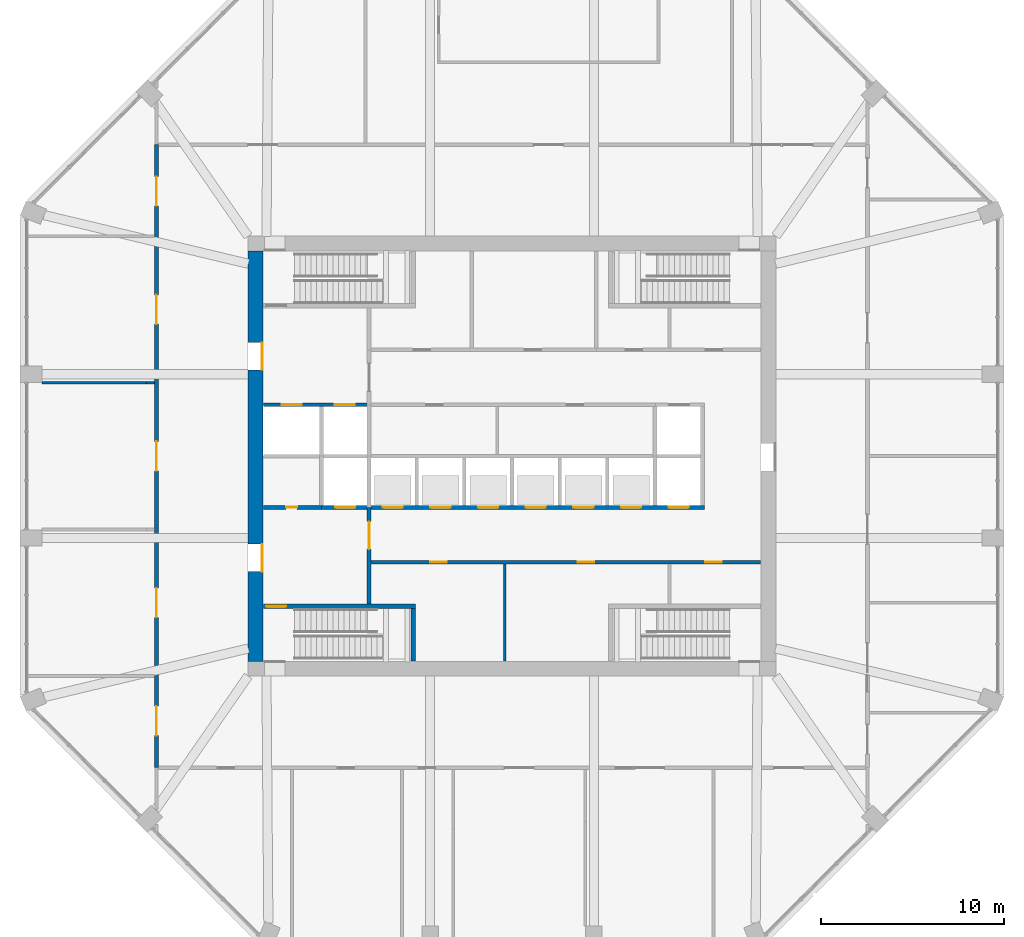
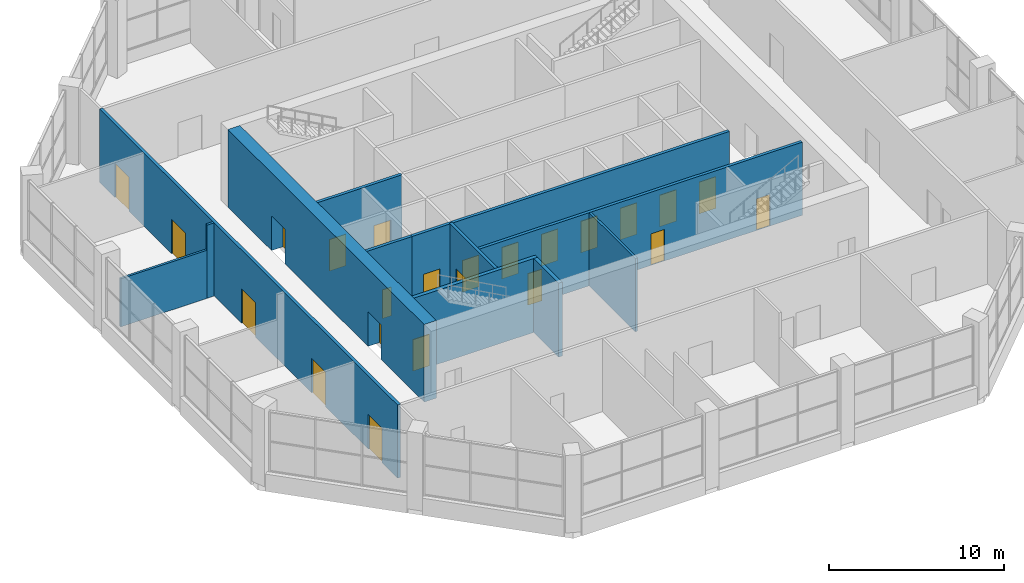
# One storey, part 12 of 16: 23 doors, 12 walls, 23 openings.
"""IFC4 building model written with IfcOpenShell, lengths in metres."""

from ifc_helpers import new_model, si_unit, direction, frame, frame_2d, origin, place, context, subcontext, project, spatial, rectangle, extrude, material, layer, layer_set, type_object, element, fill, save


model = new_model("IFC4")

# Units and contexts
model_context = context("Model", 3, precision=1e-05, world=origin(), true_north=direction((0.0, 1.0)))
body_context = subcontext(model_context, "Body", "Model", "MODEL_VIEW")
ifc_project = project(units=[si_unit("LENGTHUNIT", "METRE"), si_unit("AREAUNIT", "SQUARE_METRE"), si_unit("VOLUMEUNIT", "CUBIC_METRE"), si_unit("PLANEANGLEUNIT", "RADIAN"), si_unit("MASSUNIT", "GRAM", prefix="KILO")], contexts=[model_context])

# Site, building, storey
site_placement = place(None, origin())
site = spatial("IfcSite", under=ifc_project, at=site_placement, CompositionType="ELEMENT")
building_placement = place(site_placement, origin())
building = spatial("IfcBuilding", under=site, at=building_placement, Name="Msitu Wima Residences", CompositionType="ELEMENT")
storey_placement = place(building_placement, frame((0.0, 0.0, 156.89990234375)))
storey = spatial("IfcBuildingStorey", under=building, at=storey_placement, Name="L36", CompositionType="ELEMENT", Elevation=156.89990234375)

# Wall, openings, doors
ifc_material_1 = material(Name="Concrete C70/85", Category="concrete")
ifc_layer_1 = layer(ifc_material_1, 0.800048828125)
ifc_layer_set_1 = layer_set([ifc_layer_1], Name="Concrete C70/85")
wall_type_1 = type_object("IfcWallType", Name="Core wall CW800 C70/85", PredefinedType="SHEAR", material=ifc_layer_set_1)
wall_1_placement = place(storey_placement, frame((-14.0, -11.199951171875, 0.0), z_axis=(0.0, 0.0, 1.0), x_axis=(0.0, 1.0, 0.0)))
wall_1 = element("IfcWall", 1, at=wall_1_placement, inside=storey, type_object=wall_type_1, Name="Core wall", PredefinedType="SHEAR", context=body_context, shape_type="SweptSolid", body=[
    extrude(rectangle(XDim=22.39990234375, YDim=0.800048828125, at=frame_2d((11.199951171875, 0.0))), origin(), (0.0, 0.0, 1.0), 5.400146484375),
])
opening_1_placement = place(wall_1_placement, frame((15.89990234375, 0.0, 0.0)))
opening_1 = element("IfcOpeningElement", 2, at=opening_1_placement, cuts=wall_1, Name="Opening D36.038", PredefinedType="OPENING", context=body_context, shape_type="SweptSolid", body=[
    extrude(rectangle(XDim=1.5, YDim=2.39990234375, at=frame_2d((0.75, 1.199951171875))), frame((0.0, 0.409912109375, 0.0), z_axis=(0.0, -1.0, 0.0), x_axis=(1.0, 0.0, 0.0)), (0.0, 0.0, 1.0), 0.820068359375),
])
opening_2_placement = place(wall_1_placement, frame((4.89990234375, 0.0, 0.0)))
opening_2 = element("IfcOpeningElement", 3, at=opening_2_placement, cuts=wall_1, Name="Opening D36.039", PredefinedType="OPENING", context=body_context, shape_type="SweptSolid", body=[
    extrude(rectangle(XDim=1.5, YDim=2.39990234375, at=frame_2d((0.75, 1.199951171875))), frame((0.0, 0.409912109375, 0.0), z_axis=(0.0, -1.0, 0.0), x_axis=(1.0, 0.0, 0.0)), (0.0, 0.0, 1.0), 0.820068359375),
])
ifc_material_2 = material(Name="Steel framed glazed door, fire resisting", Category="steel")
door_type_1 = type_object("IfcDoorType", Name="Lobby door D07 1500x2400", OperationType="DOUBLE_DOOR_SINGLE_SWING", PredefinedType="DOOR", material=ifc_material_2)
door_1_placement = place(opening_1_placement, origin())
door_1 = element("IfcDoor", 4, at=door_1_placement, inside=storey, type_object=door_type_1, Name="Lobby door", OperationType="DOUBLE_DOOR_SINGLE_SWING", OverallHeight=2.39990234375, OverallWidth=1.5, PredefinedType="DOOR", context=body_context, shape_type="SweptSolid", body=[
    extrude(rectangle(XDim=1.5, YDim=2.39990234375, at=frame_2d((0.75, 1.199951171875))), frame((0.0, -0.34521484375, 0.0), z_axis=(0.0, -1.0, 0.0), x_axis=(1.0, 0.0, 0.0)), (0.0, 0.0, 1.0), 0.050048828125),
])
fill(opening_1, door_1)
door_2_placement = place(opening_2_placement, origin())
door_2 = element("IfcDoor", 5, at=door_2_placement, inside=storey, type_object=door_type_1, Name="Lobby door", OperationType="DOUBLE_DOOR_SINGLE_SWING", OverallHeight=2.39990234375, OverallWidth=1.5, PredefinedType="DOOR", context=body_context, shape_type="SweptSolid", body=[
    extrude(rectangle(XDim=1.5, YDim=2.39990234375, at=frame_2d((0.75, 1.199951171875))), frame((0.0, -0.34521484375, 0.0), z_axis=(0.0, -1.0, 0.0), x_axis=(1.0, 0.0, 0.0)), (0.0, 0.0, 1.0), 0.050048828125),
])
fill(opening_2, door_2)

ifc_material_3 = material(Name="Plaster")
ifc_layer_2 = layer(ifc_material_3, 0.011962890625, Name="Plaster")
ifc_material_4 = material(Name="Concrete blockwork", Category="masonry")
ifc_layer_3 = layer(ifc_material_4, 0.176025390625, Name="Concrete blockwork")
ifc_layer_4 = layer(ifc_material_3, 0.011962890625, Name="Plaster")
ifc_layer_set_2 = layer_set([ifc_layer_2, ifc_layer_3, ifc_layer_4], Name="Concrete blockwork")
wall_type_2 = type_object("IfcWallType", Name="Corridor wall FW200", PredefinedType="PARTITIONING", material=ifc_layer_set_2)
wall_2_placement = place(storey_placement, frame((-19.39990234375, -17.0, 0.0), z_axis=(0.0, 0.0, 1.0), x_axis=(0.0, 1.0, 0.0)))
wall_2 = element("IfcWall", 6, at=wall_2_placement, inside=storey, type_object=wall_type_2, Name="Corridor wall", PredefinedType="PARTITIONING", context=body_context, shape_type="SweptSolid", body=[
    extrude(rectangle(XDim=34.0, YDim=0.199951171875, at=frame_2d((17.0, 0.0))), origin(), (0.0, 0.0, 1.0), 5.10009765625),
])
opening_3_placement = place(wall_2_placement, frame((1.75, 0.0, 0.0)))
opening_3 = element("IfcOpeningElement", 7, at=opening_3_placement, cuts=wall_2, Name="Opening D36.022", PredefinedType="OPENING", context=body_context, shape_type="SweptSolid", body=[
    extrude(rectangle(XDim=1.60009765625, YDim=2.39990234375, at=frame_2d((0.800048828125, 1.199951171875))), frame((0.0, 0.10986328125, 0.0), z_axis=(0.0, -1.0, 0.0), x_axis=(1.0, 0.0, 0.0)), (0.0, 0.0, 1.0), 0.219970703125),
])
opening_4_placement = place(wall_2_placement, frame((8.199951171875, 0.0, 0.0)))
opening_4 = element("IfcOpeningElement", 8, at=opening_4_placement, cuts=wall_2, Name="Opening D36.023", PredefinedType="OPENING", context=body_context, shape_type="SweptSolid", body=[
    extrude(rectangle(XDim=1.60009765625, YDim=2.39990234375, at=frame_2d((0.800048828125, 1.199951171875))), frame((0.0, 0.10986328125, 0.0), z_axis=(0.0, -1.0, 0.0), x_axis=(1.0, 0.0, 0.0)), (0.0, 0.0, 1.0), 0.219970703125),
])
opening_5_placement = place(wall_2_placement, frame((16.199951171875, 0.0, 0.0)))
opening_5 = element("IfcOpeningElement", 9, at=opening_5_placement, cuts=wall_2, Name="Opening D36.024", PredefinedType="OPENING", context=body_context, shape_type="SweptSolid", body=[
    extrude(rectangle(XDim=1.60009765625, YDim=2.39990234375, at=frame_2d((0.800048828125, 1.199951171875))), frame((0.0, 0.10986328125, 0.0), z_axis=(0.0, -1.0, 0.0), x_axis=(1.0, 0.0, 0.0)), (0.0, 0.0, 1.0), 0.219970703125),
])
opening_6_placement = place(wall_2_placement, frame((24.199951171875, 0.0, 0.0)))
opening_6 = element("IfcOpeningElement", 10, at=opening_6_placement, cuts=wall_2, Name="Opening D36.025", PredefinedType="OPENING", context=body_context, shape_type="SweptSolid", body=[
    extrude(rectangle(XDim=1.60009765625, YDim=2.39990234375, at=frame_2d((0.800048828125, 1.199951171875))), frame((0.0, 0.10986328125, 0.0), z_axis=(0.0, -1.0, 0.0), x_axis=(1.0, 0.0, 0.0)), (0.0, 0.0, 1.0), 0.219970703125),
])
opening_7_placement = place(wall_2_placement, frame((30.64990234375, 0.0, 0.0)))
opening_7 = element("IfcOpeningElement", 11, at=opening_7_placement, cuts=wall_2, Name="Opening D36.026", PredefinedType="OPENING", context=body_context, shape_type="SweptSolid", body=[
    extrude(rectangle(XDim=1.60009765625, YDim=2.39990234375, at=frame_2d((0.800048828125, 1.199951171875))), frame((0.0, 0.10986328125, 0.0), z_axis=(0.0, -1.0, 0.0), x_axis=(1.0, 0.0, 0.0)), (0.0, 0.0, 1.0), 0.219970703125),
])
ifc_material_5 = material(Name="Black aluminium glazed door", Category="aluminium")
door_type_2 = type_object("IfcDoorType", Name="Amenity door D10 1600x2400", OperationType="DOUBLE_DOOR_SINGLE_SWING", PredefinedType="DOOR", material=ifc_material_5)
door_3_placement = place(opening_3_placement, origin())
door_3 = element("IfcDoor", 12, at=door_3_placement, inside=storey, type_object=door_type_2, Name="Amenity door", OperationType="DOUBLE_DOOR_SINGLE_SWING", OverallHeight=2.39990234375, OverallWidth=1.60009765625, PredefinedType="DOOR", context=body_context, shape_type="SweptSolid", body=[
    extrude(rectangle(XDim=1.60009765625, YDim=2.39990234375, at=frame_2d((0.800048828125, 1.199951171875))), frame((0.0, 0.02490234375, 0.0), z_axis=(0.0, -1.0, 0.0), x_axis=(1.0, 0.0, 0.0)), (0.0, 0.0, 1.0), 0.050048828125),
])
fill(opening_3, door_3)
door_4_placement = place(opening_4_placement, origin())
door_4 = element("IfcDoor", 13, at=door_4_placement, inside=storey, type_object=door_type_2, Name="Amenity door", OperationType="DOUBLE_DOOR_SINGLE_SWING", OverallHeight=2.39990234375, OverallWidth=1.60009765625, PredefinedType="DOOR", context=body_context, shape_type="SweptSolid", body=[
    extrude(rectangle(XDim=1.60009765625, YDim=2.39990234375, at=frame_2d((0.800048828125, 1.199951171875))), frame((0.0, 0.02490234375, 0.0), z_axis=(0.0, -1.0, 0.0), x_axis=(1.0, 0.0, 0.0)), (0.0, 0.0, 1.0), 0.050048828125),
])
fill(opening_4, door_4)
door_5_placement = place(opening_5_placement, origin())
door_5 = element("IfcDoor", 14, at=door_5_placement, inside=storey, type_object=door_type_2, Name="Amenity door", OperationType="DOUBLE_DOOR_SINGLE_SWING", OverallHeight=2.39990234375, OverallWidth=1.60009765625, PredefinedType="DOOR", context=body_context, shape_type="SweptSolid", body=[
    extrude(rectangle(XDim=1.60009765625, YDim=2.39990234375, at=frame_2d((0.800048828125, 1.199951171875))), frame((0.0, 0.02490234375, 0.0), z_axis=(0.0, -1.0, 0.0), x_axis=(1.0, 0.0, 0.0)), (0.0, 0.0, 1.0), 0.050048828125),
])
fill(opening_5, door_5)
door_6_placement = place(opening_6_placement, origin())
door_6 = element("IfcDoor", 15, at=door_6_placement, inside=storey, type_object=door_type_2, Name="Amenity door", OperationType="DOUBLE_DOOR_SINGLE_SWING", OverallHeight=2.39990234375, OverallWidth=1.60009765625, PredefinedType="DOOR", context=body_context, shape_type="SweptSolid", body=[
    extrude(rectangle(XDim=1.60009765625, YDim=2.39990234375, at=frame_2d((0.800048828125, 1.199951171875))), frame((0.0, 0.02490234375, 0.0), z_axis=(0.0, -1.0, 0.0), x_axis=(1.0, 0.0, 0.0)), (0.0, 0.0, 1.0), 0.050048828125),
])
fill(opening_6, door_6)
door_7_placement = place(opening_7_placement, origin())
door_7 = element("IfcDoor", 16, at=door_7_placement, inside=storey, type_object=door_type_2, Name="Amenity door", OperationType="DOUBLE_DOOR_SINGLE_SWING", OverallHeight=2.39990234375, OverallWidth=1.60009765625, PredefinedType="DOOR", context=body_context, shape_type="SweptSolid", body=[
    extrude(rectangle(XDim=1.60009765625, YDim=2.39990234375, at=frame_2d((0.800048828125, 1.199951171875))), frame((0.0, 0.02490234375, 0.0), z_axis=(0.0, -1.0, 0.0), x_axis=(1.0, 0.0, 0.0)), (0.0, 0.0, 1.0), 0.050048828125),
])
fill(opening_7, door_7)

# Wall, opening, door
wall_3_placement = place(storey_placement, frame((-7.800048828125, -8.074951171875, 0.0), z_axis=(0.0, 0.0, 1.0), x_axis=(0.0, 1.0, 0.0)))
wall_3 = element("IfcWall", 17, at=wall_3_placement, inside=storey, type_object=wall_type_2, Name="Corridor wall", PredefinedType="PARTITIONING", context=body_context, shape_type="SweptSolid", body=[
    extrude(rectangle(XDim=5.27490234375, YDim=0.199951171875, at=frame_2d((2.637451171875, 0.0))), origin(), (0.0, 0.0, 1.0), 5.10009765625),
])
opening_8_placement = place(wall_3_placement, frame((3.0, 0.0, 0.0)))
opening_8 = element("IfcOpeningElement", 18, at=opening_8_placement, cuts=wall_3, Name="Opening D36.002", PredefinedType="OPENING", context=body_context, shape_type="SweptSolid", body=[
    extrude(rectangle(XDim=1.5, YDim=2.39990234375, at=frame_2d((0.75, 1.199951171875))), frame((0.0, 0.10986328125, 0.0), z_axis=(0.0, -1.0, 0.0), x_axis=(1.0, 0.0, 0.0)), (0.0, 0.0, 1.0), 0.219970703125),
])
door_8_placement = place(opening_8_placement, origin())
door_8 = element("IfcDoor", 19, at=door_8_placement, inside=storey, type_object=door_type_1, Name="Lobby door", OperationType="DOUBLE_DOOR_SINGLE_SWING", OverallHeight=2.39990234375, OverallWidth=1.5, PredefinedType="DOOR", context=body_context, shape_type="SweptSolid", body=[
    extrude(rectangle(XDim=1.5, YDim=2.39990234375, at=frame_2d((0.75, 1.199951171875))), frame((0.0, 0.02490234375, 0.0), z_axis=(0.0, -1.0, 0.0), x_axis=(1.0, 0.0, 0.0)), (0.0, 0.0, 1.0), 0.050048828125),
])
fill(opening_8, door_8)

# Wall, openings, doors
wall_4_placement = place(storey_placement, frame((-7.699951171875, -5.800048828125, 0.0), z_axis=(0.0, 0.0, 1.0), x_axis=(1.0, 0.0, 0.0)))
wall_4 = element("IfcWall", 20, at=wall_4_placement, inside=storey, type_object=wall_type_2, Name="Corridor wall", PredefinedType="PARTITIONING", context=body_context, shape_type="SweptSolid", body=[
    extrude(rectangle(XDim=21.27001953125, YDim=0.199951171875, at=frame_2d((10.635009765625, 0.0))), origin(), (0.0, 0.0, 1.0), 5.10009765625),
])
opening_9_placement = place(wall_4_placement, frame((3.25, 0.0, 0.0)))
opening_9 = element("IfcOpeningElement", 21, at=opening_9_placement, cuts=wall_4, Name="Opening D36.007", PredefinedType="OPENING", context=body_context, shape_type="SweptSolid", body=[
    extrude(rectangle(XDim=0.89990234375, YDim=2.199951171875, at=frame_2d((0.449951171875, 1.10009765625))), frame((0.0, 0.10986328125, 0.0), z_axis=(0.0, -1.0, 0.0), x_axis=(1.0, 0.0, 0.0)), (0.0, 0.0, 1.0), 0.219970703125),
])
opening_10_placement = place(wall_4_placement, frame((11.300048828125, 0.0, 0.0)))
opening_10 = element("IfcOpeningElement", 22, at=opening_10_placement, cuts=wall_4, Name="Opening D36.008", PredefinedType="OPENING", context=body_context, shape_type="SweptSolid", body=[
    extrude(rectangle(XDim=0.89990234375, YDim=2.199951171875, at=frame_2d((0.449951171875, 1.10009765625))), frame((0.0, 0.10986328125, 0.0), z_axis=(0.0, -1.0, 0.0), x_axis=(1.0, 0.0, 0.0)), (0.0, 0.0, 1.0), 0.219970703125),
])
opening_11_placement = place(wall_4_placement, frame((18.25, 0.0, 0.0)))
opening_11 = element("IfcOpeningElement", 23, at=opening_11_placement, cuts=wall_4, Name="Opening D36.009", PredefinedType="OPENING", context=body_context, shape_type="SweptSolid", body=[
    extrude(rectangle(XDim=0.89990234375, YDim=2.199951171875, at=frame_2d((0.449951171875, 1.10009765625))), frame((0.0, 0.10986328125, 0.0), z_axis=(0.0, -1.0, 0.0), x_axis=(1.0, 0.0, 0.0)), (0.0, 0.0, 1.0), 0.219970703125),
])
ifc_material_6 = material(Name="Timber flush door", Category="wood")
door_type_3 = type_object("IfcDoorType", Name="Service door D05 900x2200", OperationType="SINGLE_SWING_LEFT", PredefinedType="DOOR", material=ifc_material_6)
door_9_placement = place(opening_9_placement, origin())
door_9 = element("IfcDoor", 24, at=door_9_placement, inside=storey, type_object=door_type_3, Name="Service door", OperationType="SINGLE_SWING_RIGHT", OverallHeight=2.199951171875, OverallWidth=0.89990234375, PredefinedType="DOOR", context=body_context, shape_type="SweptSolid", body=[
    extrude(rectangle(XDim=0.89990234375, YDim=2.199951171875, at=frame_2d((0.449951171875, 1.10009765625))), frame((0.0, 0.02490234375, 0.0), z_axis=(0.0, -1.0, 0.0), x_axis=(1.0, 0.0, 0.0)), (0.0, 0.0, 1.0), 0.050048828125),
])
fill(opening_9, door_9)
door_10_placement = place(opening_10_placement, origin())
door_10 = element("IfcDoor", 25, at=door_10_placement, inside=storey, type_object=door_type_3, Name="Service door", OperationType="SINGLE_SWING_LEFT", OverallHeight=2.199951171875, OverallWidth=0.89990234375, PredefinedType="DOOR", context=body_context, shape_type="SweptSolid", body=[
    extrude(rectangle(XDim=0.89990234375, YDim=2.199951171875, at=frame_2d((0.449951171875, 1.10009765625))), frame((0.0, 0.02490234375, 0.0), z_axis=(0.0, -1.0, 0.0), x_axis=(1.0, 0.0, 0.0)), (0.0, 0.0, 1.0), 0.050048828125),
])
fill(opening_10, door_10)
door_11_placement = place(opening_11_placement, origin())
door_11 = element("IfcDoor", 26, at=door_11_placement, inside=storey, type_object=door_type_3, Name="Service door", OperationType="SINGLE_SWING_RIGHT", OverallHeight=2.199951171875, OverallWidth=0.89990234375, PredefinedType="DOOR", context=body_context, shape_type="SweptSolid", body=[
    extrude(rectangle(XDim=0.89990234375, YDim=2.199951171875, at=frame_2d((0.449951171875, 1.10009765625))), frame((0.0, 0.02490234375, 0.0), z_axis=(0.0, -1.0, 0.0), x_axis=(1.0, 0.0, 0.0)), (0.0, 0.0, 1.0), 0.050048828125),
])
fill(opening_11, door_11)

# Walls
ifc_layer_5 = layer(ifc_material_3, 0.011962890625, Name="Plaster")
ifc_layer_6 = layer(ifc_material_4, 0.1259765625, Name="Concrete blockwork")
ifc_layer_7 = layer(ifc_material_3, 0.011962890625, Name="Plaster")
ifc_layer_set_3 = layer_set([ifc_layer_5, ifc_layer_6, ifc_layer_7], Name="Concrete blockwork")
wall_type_3 = type_object("IfcWallType", Name="Partition PW150", PredefinedType="PARTITIONING", material=ifc_layer_set_3)
wall_5_placement = place(storey_placement, frame((-25.64990234375, 4.0, 0.0), z_axis=(0.0, 0.0, 1.0), x_axis=(1.0, 0.0, 0.0)))
element("IfcWall", 27, at=wall_5_placement, inside=storey, type_object=wall_type_3, Name="Partition", PredefinedType="PARTITIONING", context=body_context, shape_type="SweptSolid", body=[
    extrude(rectangle(XDim=5.694580078125, YDim=0.14990234375, at=frame_2d((2.84716796875, 0.0))), origin(), (0.0, 0.0, 1.0), 3.35009765625),
])
wall_6_placement = place(storey_placement, frame((-19.955322265625, 4.0, 0.0), z_axis=(0.0, 0.0, 1.0), x_axis=(1.0, 0.0, 0.0)))
element("IfcWall", 28, at=wall_6_placement, inside=storey, type_object=wall_type_3, Name="Partition", PredefinedType="PARTITIONING", context=body_context, shape_type="SweptSolid", body=[
    extrude(rectangle(XDim=0.455322265625, YDim=0.14990234375, at=frame_2d((0.2275390625, 0.0))), origin(), (0.0, 0.0, 1.0), 5.10009765625),
])
wall_7_placement = place(storey_placement, frame((-0.39990234375, -11.169921875, 0.0), z_axis=(0.0, 0.0, 1.0), x_axis=(0.0, 1.0, 0.0)))
element("IfcWall", 29, at=wall_7_placement, inside=storey, type_object=wall_type_3, Name="Partition", PredefinedType="PARTITIONING", context=body_context, shape_type="SweptSolid", body=[
    extrude(rectangle(XDim=5.27001953125, YDim=0.14990234375, at=frame_2d((2.635009765625, 0.0))), origin(), (0.0, 0.0, 1.0), 5.10009765625),
])

# Wall, opening, door
ifc_layer_8 = layer(ifc_material_3, 0.011962890625, Name="Plaster")
ifc_material_7 = material(Name="Reinforced concrete blockwork", Category="masonry")
ifc_layer_9 = layer(ifc_material_7, 0.176025390625, Name="Reinforced concrete blockwork")
ifc_layer_10 = layer(ifc_material_3, 0.011962890625, Name="Plaster")
ifc_layer_set_4 = layer_set([ifc_layer_8, ifc_layer_9, ifc_layer_10], Name="Reinforced concrete blockwork")
wall_type_4 = type_object("IfcWallType", Name="Plant and riser wall PL200", PredefinedType="PARTITIONING", material=ifc_layer_set_4)
wall_8_placement = place(storey_placement, frame((-13.570068359375, -2.800048828125, 0.0), z_axis=(0.0, 0.0, 1.0), x_axis=(1.0, 0.0, 0.0)))
wall_8 = element("IfcWall", 30, at=wall_8_placement, inside=storey, type_object=wall_type_4, Name="Plant and riser wall", PredefinedType="PARTITIONING", context=body_context, shape_type="SweptSolid", body=[
    extrude(rectangle(XDim=3.170166015625, YDim=0.199951171875, at=frame_2d((1.5849609375, 0.0))), origin(), (0.0, 0.0, 1.0), 5.10009765625),
])
opening_12_placement = place(wall_8_placement, frame((1.25, 0.0, 0.0)))
opening_12 = element("IfcOpeningElement", 31, at=opening_12_placement, cuts=wall_8, Name="Opening D36.012", PredefinedType="OPENING", context=body_context, shape_type="SweptSolid", body=[
    extrude(rectangle(XDim=0.60009765625, YDim=2.0, at=frame_2d((0.300048828125, 1.0))), frame((0.0, 0.10986328125, 0.0), z_axis=(0.0, -1.0, 0.0), x_axis=(1.0, 0.0, 0.0)), (0.0, 0.0, 1.0), 0.219970703125),
])
ifc_material_8 = material(Name="Steel access door, fire resisting", Category="steel")
door_type_4 = type_object("IfcDoorType", Name="Riser access door D08 600x2000", OperationType="SINGLE_SWING_LEFT", PredefinedType="DOOR", material=ifc_material_8)
door_12_placement = place(opening_12_placement, origin())
door_12 = element("IfcDoor", 32, at=door_12_placement, inside=storey, type_object=door_type_4, Name="Riser access door", OperationType="SINGLE_SWING_RIGHT", OverallHeight=2.0, OverallWidth=0.60009765625, PredefinedType="DOOR", context=body_context, shape_type="SweptSolid", body=[
    extrude(rectangle(XDim=0.60009765625, YDim=2.0, at=frame_2d((0.300048828125, 1.0))), frame((0.0, 0.02490234375, 0.0), z_axis=(0.0, -1.0, 0.0), x_axis=(1.0, 0.0, 0.0)), (0.0, 0.0, 1.0), 0.050048828125),
])
fill(opening_12, door_12)

# Wall, openings, doors
ifc_material_9 = material(Name="Fire-rated board")
ifc_layer_11 = layer(ifc_material_9, 0.02490234375, Name="Fire-rated board")
ifc_material_10 = material(Name="Light-gauge stud framing with mineral wool")
ifc_layer_12 = layer(ifc_material_10, 0.14990234375, Name="Light-gauge stud framing with mineral wool")
ifc_layer_13 = layer(ifc_material_9, 0.02490234375, Name="Fire-rated board")
ifc_layer_set_5 = layer_set([ifc_layer_11, ifc_layer_12, ifc_layer_13], Name="Light-gauge stud framing with mineral wool")
wall_type_5 = type_object("IfcWallType", Name="Shaft wall SH200", PredefinedType="PARTITIONING", material=ifc_layer_set_5)
wall_9_placement = place(storey_placement, frame((-13.570068359375, 2.800048828125, 0.0), z_axis=(0.0, 0.0, 1.0), x_axis=(1.0, 0.0, 0.0)))
wall_9 = element("IfcWall", 33, at=wall_9_placement, inside=storey, type_object=wall_type_5, Name="Shaft wall", PredefinedType="PARTITIONING", context=body_context, shape_type="SweptSolid", body=[
    extrude(rectangle(XDim=5.75, YDim=0.199951171875, at=frame_2d((2.875, 0.0))), origin(), (0.0, 0.0, 1.0), 5.10009765625),
])
opening_13_placement = place(wall_9_placement, frame((1.0, 0.0, 0.0)))
opening_13 = element("IfcOpeningElement", 34, at=opening_13_placement, cuts=wall_9, Name="Opening LD", PredefinedType="OPENING", context=body_context, shape_type="SweptSolid", body=[
    extrude(rectangle(XDim=1.10009765625, YDim=2.199951171875, at=frame_2d((0.550048828125, 1.10009765625))), frame((0.0, 0.10986328125, 0.0), z_axis=(0.0, -1.0, 0.0), x_axis=(1.0, 0.0, 0.0)), (0.0, 0.0, 1.0), 0.219970703125),
])
opening_14_placement = place(wall_9_placement, frame((3.89990234375, 0.0, 0.0)))
opening_14 = element("IfcOpeningElement", 35, at=opening_14_placement, cuts=wall_9, Name="Opening LD", PredefinedType="OPENING", context=body_context, shape_type="SweptSolid", body=[
    extrude(rectangle(XDim=1.10009765625, YDim=2.199951171875, at=frame_2d((0.550048828125, 1.10009765625))), frame((0.0, 0.10986328125, 0.0), z_axis=(0.0, -1.0, 0.0), x_axis=(1.0, 0.0, 0.0)), (0.0, 0.0, 1.0), 0.219970703125),
])
ifc_material_11 = material(Name="Stainless steel centre-opening landing door, rated", Category="steel")
door_type_5 = type_object("IfcDoorType", Name="Lift landing door LD 1100x2200", OperationType="DOUBLE_DOOR_SLIDING", PredefinedType="DOOR", material=ifc_material_11)
door_13_placement = place(opening_13_placement, origin())
door_13 = element("IfcDoor", 36, at=door_13_placement, inside=storey, type_object=door_type_5, Name="Lift landing door LD1", OperationType="DOUBLE_DOOR_SLIDING", OverallHeight=2.199951171875, OverallWidth=1.10009765625, PredefinedType="DOOR", context=body_context, shape_type="SweptSolid", body=[
    extrude(rectangle(XDim=1.10009765625, YDim=2.199951171875, at=frame_2d((0.550048828125, 1.10009765625))), frame((0.0, 0.02490234375, 0.0), z_axis=(0.0, -1.0, 0.0), x_axis=(1.0, 0.0, 0.0)), (0.0, 0.0, 1.0), 0.050048828125),
])
fill(opening_13, door_13)
door_14_placement = place(opening_14_placement, origin())
door_14 = element("IfcDoor", 37, at=door_14_placement, inside=storey, type_object=door_type_5, Name="Lift landing door LD2", OperationType="DOUBLE_DOOR_SLIDING", OverallHeight=2.199951171875, OverallWidth=1.10009765625, PredefinedType="DOOR", context=body_context, shape_type="SweptSolid", body=[
    extrude(rectangle(XDim=1.10009765625, YDim=2.199951171875, at=frame_2d((0.550048828125, 1.10009765625))), frame((0.0, 0.02490234375, 0.0), z_axis=(0.0, -1.0, 0.0), x_axis=(1.0, 0.0, 0.0)), (0.0, 0.0, 1.0), 0.050048828125),
])
fill(opening_14, door_14)

wall_10_placement = place(storey_placement, frame((-10.39990234375, -2.800048828125, 0.0), z_axis=(0.0, 0.0, 1.0), x_axis=(1.0, 0.0, 0.0)))
wall_10 = element("IfcWall", 38, at=wall_10_placement, inside=storey, type_object=wall_type_5, Name="Shaft wall", PredefinedType="PARTITIONING", context=body_context, shape_type="SweptSolid", body=[
    extrude(rectangle(XDim=20.89990234375, YDim=0.199951171875, at=frame_2d((10.449951171875, 0.0))), origin(), (0.0, 0.0, 1.0), 5.10009765625),
])
opening_15_placement = place(wall_10_placement, frame((0.75, 0.0, 0.0)))
opening_15 = element("IfcOpeningElement", 39, at=opening_15_placement, cuts=wall_10, Name="Opening LD", PredefinedType="OPENING", context=body_context, shape_type="SweptSolid", body=[
    extrude(rectangle(XDim=1.10009765625, YDim=2.199951171875, at=frame_2d((0.550048828125, 1.10009765625))), frame((0.0, 0.10986328125, 0.0), z_axis=(0.0, -1.0, 0.0), x_axis=(1.0, 0.0, 0.0)), (0.0, 0.0, 1.0), 0.219970703125),
])
opening_16_placement = place(wall_10_placement, frame((3.35009765625, 0.0, 0.0)))
opening_16 = element("IfcOpeningElement", 40, at=opening_16_placement, cuts=wall_10, Name="Opening LD", PredefinedType="OPENING", context=body_context, shape_type="SweptSolid", body=[
    extrude(rectangle(XDim=1.10009765625, YDim=2.199951171875, at=frame_2d((0.550048828125, 1.10009765625))), frame((0.0, 0.10986328125, 0.0), z_axis=(0.0, -1.0, 0.0), x_axis=(1.0, 0.0, 0.0)), (0.0, 0.0, 1.0), 0.219970703125),
])
opening_17_placement = place(wall_10_placement, frame((5.949951171875, 0.0, 0.0)))
opening_17 = element("IfcOpeningElement", 41, at=opening_17_placement, cuts=wall_10, Name="Opening LD", PredefinedType="OPENING", context=body_context, shape_type="SweptSolid", body=[
    extrude(rectangle(XDim=1.10009765625, YDim=2.199951171875, at=frame_2d((0.550048828125, 1.10009765625))), frame((0.0, 0.10986328125, 0.0), z_axis=(0.0, -1.0, 0.0), x_axis=(1.0, 0.0, 0.0)), (0.0, 0.0, 1.0), 0.219970703125),
])
opening_18_placement = place(wall_10_placement, frame((8.550048828125, 0.0, 0.0)))
opening_18 = element("IfcOpeningElement", 42, at=opening_18_placement, cuts=wall_10, Name="Opening LD", PredefinedType="OPENING", context=body_context, shape_type="SweptSolid", body=[
    extrude(rectangle(XDim=1.10009765625, YDim=2.199951171875, at=frame_2d((0.550048828125, 1.10009765625))), frame((0.0, 0.10986328125, 0.0), z_axis=(0.0, -1.0, 0.0), x_axis=(1.0, 0.0, 0.0)), (0.0, 0.0, 1.0), 0.219970703125),
])
opening_19_placement = place(wall_10_placement, frame((11.14990234375, 0.0, 0.0)))
opening_19 = element("IfcOpeningElement", 43, at=opening_19_placement, cuts=wall_10, Name="Opening LD", PredefinedType="OPENING", context=body_context, shape_type="SweptSolid", body=[
    extrude(rectangle(XDim=1.10009765625, YDim=2.199951171875, at=frame_2d((0.550048828125, 1.10009765625))), frame((0.0, 0.10986328125, 0.0), z_axis=(0.0, -1.0, 0.0), x_axis=(1.0, 0.0, 0.0)), (0.0, 0.0, 1.0), 0.219970703125),
])
opening_20_placement = place(wall_10_placement, frame((13.75, 0.0, 0.0)))
opening_20 = element("IfcOpeningElement", 44, at=opening_20_placement, cuts=wall_10, Name="Opening LD", PredefinedType="OPENING", context=body_context, shape_type="SweptSolid", body=[
    extrude(rectangle(XDim=1.10009765625, YDim=2.199951171875, at=frame_2d((0.550048828125, 1.10009765625))), frame((0.0, 0.10986328125, 0.0), z_axis=(0.0, -1.0, 0.0), x_axis=(1.0, 0.0, 0.0)), (0.0, 0.0, 1.0), 0.219970703125),
])
opening_21_placement = place(wall_10_placement, frame((16.35009765625, 0.0, 0.0)))
opening_21 = element("IfcOpeningElement", 45, at=opening_21_placement, cuts=wall_10, Name="Opening LD", PredefinedType="OPENING", context=body_context, shape_type="SweptSolid", body=[
    extrude(rectangle(XDim=1.10009765625, YDim=2.199951171875, at=frame_2d((0.550048828125, 1.10009765625))), frame((0.0, 0.10986328125, 0.0), z_axis=(0.0, -1.0, 0.0), x_axis=(1.0, 0.0, 0.0)), (0.0, 0.0, 1.0), 0.219970703125),
])
opening_22_placement = place(wall_10_placement, frame((18.949951171875, 0.0, 0.0)))
opening_22 = element("IfcOpeningElement", 46, at=opening_22_placement, cuts=wall_10, Name="Opening LD", PredefinedType="OPENING", context=body_context, shape_type="SweptSolid", body=[
    extrude(rectangle(XDim=1.10009765625, YDim=2.199951171875, at=frame_2d((0.550048828125, 1.10009765625))), frame((0.0, 0.10986328125, 0.0), z_axis=(0.0, -1.0, 0.0), x_axis=(1.0, 0.0, 0.0)), (0.0, 0.0, 1.0), 0.219970703125),
])
door_15_placement = place(opening_15_placement, origin())
door_15 = element("IfcDoor", 47, at=door_15_placement, inside=storey, type_object=door_type_5, Name="Lift landing door LD3", OperationType="DOUBLE_DOOR_SLIDING", OverallHeight=2.199951171875, OverallWidth=1.10009765625, PredefinedType="DOOR", context=body_context, shape_type="SweptSolid", body=[
    extrude(rectangle(XDim=1.10009765625, YDim=2.199951171875, at=frame_2d((0.550048828125, 1.10009765625))), frame((0.0, 0.02490234375, 0.0), z_axis=(0.0, -1.0, 0.0), x_axis=(1.0, 0.0, 0.0)), (0.0, 0.0, 1.0), 0.050048828125),
])
fill(opening_15, door_15)
door_16_placement = place(opening_16_placement, origin())
door_16 = element("IfcDoor", 48, at=door_16_placement, inside=storey, type_object=door_type_5, Name="Lift landing door LD5", OperationType="DOUBLE_DOOR_SLIDING", OverallHeight=2.199951171875, OverallWidth=1.10009765625, PredefinedType="DOOR", context=body_context, shape_type="SweptSolid", body=[
    extrude(rectangle(XDim=1.10009765625, YDim=2.199951171875, at=frame_2d((0.550048828125, 1.10009765625))), frame((0.0, 0.02490234375, 0.0), z_axis=(0.0, -1.0, 0.0), x_axis=(1.0, 0.0, 0.0)), (0.0, 0.0, 1.0), 0.050048828125),
])
fill(opening_16, door_16)
door_17_placement = place(opening_17_placement, origin())
door_17 = element("IfcDoor", 49, at=door_17_placement, inside=storey, type_object=door_type_5, Name="Lift landing door LD7", OperationType="DOUBLE_DOOR_SLIDING", OverallHeight=2.199951171875, OverallWidth=1.10009765625, PredefinedType="DOOR", context=body_context, shape_type="SweptSolid", body=[
    extrude(rectangle(XDim=1.10009765625, YDim=2.199951171875, at=frame_2d((0.550048828125, 1.10009765625))), frame((0.0, 0.02490234375, 0.0), z_axis=(0.0, -1.0, 0.0), x_axis=(1.0, 0.0, 0.0)), (0.0, 0.0, 1.0), 0.050048828125),
])
fill(opening_17, door_17)
door_18_placement = place(opening_18_placement, origin())
door_18 = element("IfcDoor", 50, at=door_18_placement, inside=storey, type_object=door_type_5, Name="Lift landing door LD9", OperationType="DOUBLE_DOOR_SLIDING", OverallHeight=2.199951171875, OverallWidth=1.10009765625, PredefinedType="DOOR", context=body_context, shape_type="SweptSolid", body=[
    extrude(rectangle(XDim=1.10009765625, YDim=2.199951171875, at=frame_2d((0.550048828125, 1.10009765625))), frame((0.0, 0.02490234375, 0.0), z_axis=(0.0, -1.0, 0.0), x_axis=(1.0, 0.0, 0.0)), (0.0, 0.0, 1.0), 0.050048828125),
])
fill(opening_18, door_18)
door_19_placement = place(opening_19_placement, origin())
door_19 = element("IfcDoor", 51, at=door_19_placement, inside=storey, type_object=door_type_5, Name="Lift landing door LD11", OperationType="DOUBLE_DOOR_SLIDING", OverallHeight=2.199951171875, OverallWidth=1.10009765625, PredefinedType="DOOR", context=body_context, shape_type="SweptSolid", body=[
    extrude(rectangle(XDim=1.10009765625, YDim=2.199951171875, at=frame_2d((0.550048828125, 1.10009765625))), frame((0.0, 0.02490234375, 0.0), z_axis=(0.0, -1.0, 0.0), x_axis=(1.0, 0.0, 0.0)), (0.0, 0.0, 1.0), 0.050048828125),
])
fill(opening_19, door_19)
door_20_placement = place(opening_20_placement, origin())
door_20 = element("IfcDoor", 52, at=door_20_placement, inside=storey, type_object=door_type_5, Name="Lift landing door LD13", OperationType="DOUBLE_DOOR_SLIDING", OverallHeight=2.199951171875, OverallWidth=1.10009765625, PredefinedType="DOOR", context=body_context, shape_type="SweptSolid", body=[
    extrude(rectangle(XDim=1.10009765625, YDim=2.199951171875, at=frame_2d((0.550048828125, 1.10009765625))), frame((0.0, 0.02490234375, 0.0), z_axis=(0.0, -1.0, 0.0), x_axis=(1.0, 0.0, 0.0)), (0.0, 0.0, 1.0), 0.050048828125),
])
fill(opening_20, door_20)
door_21_placement = place(opening_21_placement, origin())
door_21 = element("IfcDoor", 53, at=door_21_placement, inside=storey, type_object=door_type_5, Name="Lift landing door LD15", OperationType="DOUBLE_DOOR_SLIDING", OverallHeight=2.199951171875, OverallWidth=1.10009765625, PredefinedType="DOOR", context=body_context, shape_type="SweptSolid", body=[
    extrude(rectangle(XDim=1.10009765625, YDim=2.199951171875, at=frame_2d((0.550048828125, 1.10009765625))), frame((0.0, 0.02490234375, 0.0), z_axis=(0.0, -1.0, 0.0), x_axis=(1.0, 0.0, 0.0)), (0.0, 0.0, 1.0), 0.050048828125),
])
fill(opening_21, door_21)
door_22_placement = place(opening_22_placement, origin())
door_22 = element("IfcDoor", 54, at=door_22_placement, inside=storey, type_object=door_type_5, Name="Lift landing door LD17", OperationType="DOUBLE_DOOR_SLIDING", OverallHeight=2.199951171875, OverallWidth=1.10009765625, PredefinedType="DOOR", context=body_context, shape_type="SweptSolid", body=[
    extrude(rectangle(XDim=1.10009765625, YDim=2.199951171875, at=frame_2d((0.550048828125, 1.10009765625))), frame((0.0, 0.02490234375, 0.0), z_axis=(0.0, -1.0, 0.0), x_axis=(1.0, 0.0, 0.0)), (0.0, 0.0, 1.0), 0.050048828125),
])
fill(opening_22, door_22)

# Wall, opening, door
ifc_material_12 = material(Name="Concrete C50/60", Category="concrete")
ifc_layer_14 = layer(ifc_material_12, 0.25)
ifc_layer_set_6 = layer_set([ifc_layer_14], Name="Concrete C50/60")
wall_type_6 = type_object("IfcWallType", Name="Stair enclosure wall SW250", PredefinedType="SHEAR", material=ifc_layer_set_6)
wall_11_placement = place(storey_placement, frame((-13.570068359375, -8.199951171875, 0.0), z_axis=(0.0, 0.0, 1.0), x_axis=(1.0, 0.0, 0.0)))
wall_11 = element("IfcWall", 55, at=wall_11_placement, inside=storey, type_object=wall_type_6, Name="Stair enclosure wall", PredefinedType="SHEAR", context=body_context, shape_type="SweptSolid", body=[
    extrude(rectangle(XDim=8.295166015625, YDim=0.25, at=frame_2d((4.1474609375, 0.0))), origin(), (0.0, 0.0, 1.0), 5.150146484375),
])
opening_23_placement = place(wall_11_placement, frame((0.14990234375, 0.0, 0.0)))
opening_23 = element("IfcOpeningElement", 56, at=opening_23_placement, cuts=wall_11, Name="Opening D36.014", PredefinedType="OPENING", context=body_context, shape_type="SweptSolid", body=[
    extrude(rectangle(XDim=1.10009765625, YDim=2.199951171875, at=frame_2d((0.550048828125, 1.10009765625))), frame((0.0, 0.135009765625, 0.0), z_axis=(0.0, -1.0, 0.0), x_axis=(1.0, 0.0, 0.0)), (0.0, 0.0, 1.0), 0.27001953125),
])
ifc_material_13 = material(Name="Steel door, fire resisting, panic bar", Category="steel")
door_type_6 = type_object("IfcDoorType", Name="Stair door D06 1100x2200", OperationType="SINGLE_SWING_LEFT", PredefinedType="DOOR", material=ifc_material_13)
door_23_placement = place(opening_23_placement, origin())
door_23 = element("IfcDoor", 57, at=door_23_placement, inside=storey, type_object=door_type_6, Name="Stair door", OperationType="SINGLE_SWING_RIGHT", OverallHeight=2.199951171875, OverallWidth=1.10009765625, PredefinedType="DOOR", context=body_context, shape_type="SweptSolid", body=[
    extrude(rectangle(XDim=1.10009765625, YDim=2.199951171875, at=frame_2d((0.550048828125, 1.10009765625))), frame((0.0, 0.02490234375, 0.0), z_axis=(0.0, -1.0, 0.0), x_axis=(1.0, 0.0, 0.0)), (0.0, 0.0, 1.0), 0.050048828125),
])
fill(opening_23, door_23)

# Wall
wall_12_placement = place(storey_placement, frame((-5.39990234375, -11.169921875, 0.0), z_axis=(0.0, 0.0, 1.0), x_axis=(0.0, 1.0, 0.0)))
element("IfcWall", 58, at=wall_12_placement, inside=storey, type_object=wall_type_6, Name="Stair enclosure wall", PredefinedType="SHEAR", context=body_context, shape_type="SweptSolid", body=[
    extrude(rectangle(XDim=2.844970703125, YDim=0.25, at=frame_2d((1.42236328125, 0.0))), origin(), (0.0, 0.0, 1.0), 5.150146484375),
])

save(model, "model.ifc")
